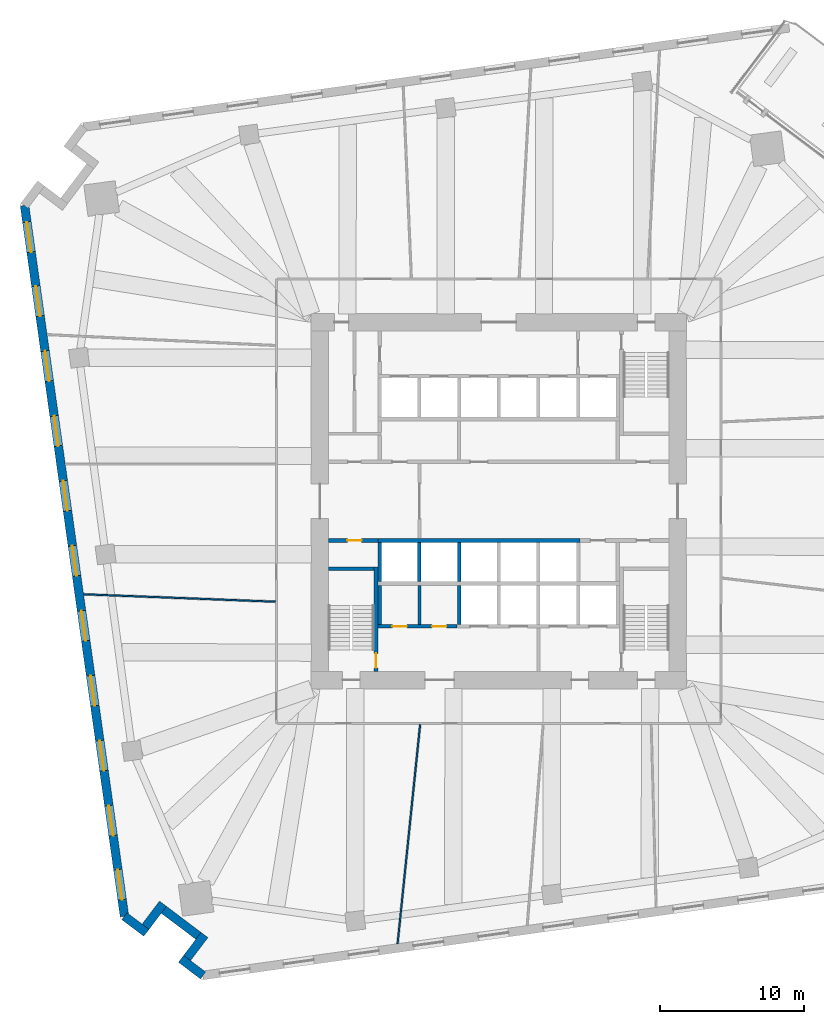
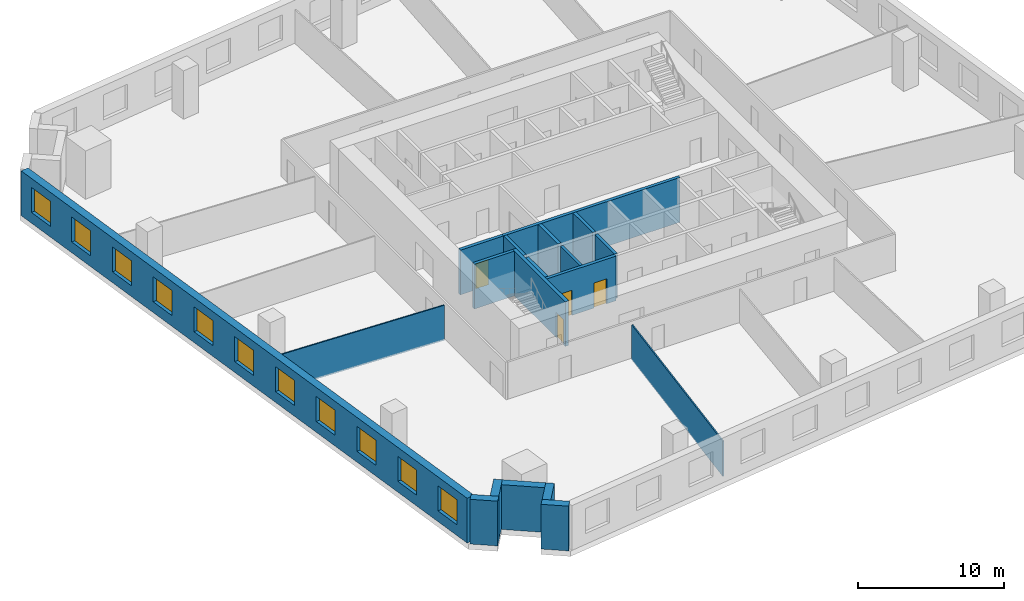
# One storey, part 5 of 12: 19 walls, 11 windows, 4 doors, 15 openings.
"""IFC4 building model written with IfcOpenShell, lengths in metres."""

from ifc_helpers import new_model, si_unit, direction, frame, frame_2d, origin, place, context, subcontext, project, spatial, rectangle, extrude, material, layer, layer_set, type_object, element, fill, save


model = new_model("IFC4")

# Units and contexts
model_context = context("Model", 3, precision=1e-05, world=origin(), true_north=direction((0.0, 1.0)))
body_context = subcontext(model_context, "Body", "Model", "MODEL_VIEW")
ifc_project = project(units=[si_unit("LENGTHUNIT", "METRE"), si_unit("AREAUNIT", "SQUARE_METRE"), si_unit("VOLUMEUNIT", "CUBIC_METRE"), si_unit("PLANEANGLEUNIT", "RADIAN"), si_unit("MASSUNIT", "GRAM", prefix="KILO")], contexts=[model_context])

# Site, building, storey
site_placement = place(None, origin())
site = spatial("IfcSite", under=ifc_project, at=site_placement, CompositionType="ELEMENT")
building_placement = place(site_placement, origin())
building = spatial("IfcBuilding", under=site, at=building_placement, Name="Dilmun Exchange Tower", CompositionType="ELEMENT")
storey_placement = place(building_placement, frame((0.0, 0.0, 51.300048828125)))
storey = spatial("IfcBuildingStorey", under=building, at=storey_placement, Name="L11", CompositionType="ELEMENT", Elevation=51.300048828125)

# Wall
ifc_material_1 = material(Name="Concrete C40/50", Category="concrete")
ifc_layer_1 = layer(ifc_material_1, 0.199951171875)
ifc_layer_set_1 = layer_set([ifc_layer_1], Name="Concrete C40/50")
wall_type_1 = type_object("IfcWallType", Name="Core partition wall 200", PredefinedType="PARTITIONING", material=ifc_layer_set_1)
wall_1_placement = place(storey_placement, frame((-5.5, -8.544921875, 0.0), z_axis=(0.0, 0.0, 1.0), x_axis=(0.0, 1.0, 0.0)))
element("IfcWall", 1, at=wall_1_placement, inside=storey, type_object=wall_type_1, Name="L11 core partition wall 04", PredefinedType="PARTITIONING", context=body_context, shape_type="SweptSolid", body=[
    extrude(rectangle(XDim=2.68994140625, YDim=0.199951171875, at=frame_2d((1.344970703125, 0.0))), origin(), (0.0, 0.0, 1.0), 3.75),
])

# Wall, openings, doors
ifc_layer_2 = layer(ifc_material_1, 0.25)
ifc_layer_set_2 = layer_set([ifc_layer_2], Name="Concrete C40/50")
wall_type_2 = type_object("IfcWallType", Name="Core partition wall 250", PredefinedType="PARTITIONING", material=ifc_layer_set_2)
wall_2_placement = place(storey_placement, frame((-8.3701171875, -8.675048828125, 0.0), z_axis=(0.0, 0.0, 1.0), x_axis=(1.0, 0.0, 0.0)))
wall_2 = element("IfcWall", 2, at=wall_2_placement, inside=storey, type_object=wall_type_2, Name="L11 core partition wall 02", PredefinedType="PARTITIONING", context=body_context, shape_type="SweptSolid", body=[
    extrude(rectangle(XDim=5.490234375, YDim=0.25, at=frame_2d((2.7451171875, 0.0))), origin(), (0.0, 0.0, 1.0), 3.75),
])
opening_1_placement = place(wall_2_placement, frame((0.9951171875, 0.0, 0.0)))
opening_1 = element("IfcOpeningElement", 3, at=opening_1_placement, cuts=wall_2, Name="Opening CD4", PredefinedType="OPENING", context=body_context, shape_type="SweptSolid", body=[
    extrude(rectangle(XDim=1.0, YDim=2.10009765625, at=frame_2d((0.5, 1.050048828125))), frame((0.0, 0.135009765625, 0.0), z_axis=(0.0, -1.0, 0.0), x_axis=(1.0, 0.0, 0.0)), (0.0, 0.0, 1.0), 0.27001953125),
])
opening_2_placement = place(wall_2_placement, frame((3.7451171875, 0.0, 0.0)))
opening_2 = element("IfcOpeningElement", 4, at=opening_2_placement, cuts=wall_2, Name="Opening CD4", PredefinedType="OPENING", context=body_context, shape_type="SweptSolid", body=[
    extrude(rectangle(XDim=1.0, YDim=2.10009765625, at=frame_2d((0.5, 1.050048828125))), frame((0.0, 0.135009765625, 0.0), z_axis=(0.0, -1.0, 0.0), x_axis=(1.0, 0.0, 0.0)), (0.0, 0.0, 1.0), 0.27001953125),
])
ifc_material_2 = material(Name="Fire-rated steel door set", Category="steel")
door_type = type_object("IfcDoorType", Name="Core room door 1000x2100", OperationType="SINGLE_SWING_LEFT", PredefinedType="DOOR", material=ifc_material_2)
door_1_placement = place(opening_1_placement, origin())
door_1 = element("IfcDoor", 5, at=door_1_placement, inside=storey, type_object=door_type, Name="L11 door Male WC", OperationType="SINGLE_SWING_RIGHT", OverallHeight=2.10009765625, OverallWidth=1.0, PredefinedType="DOOR", context=body_context, shape_type="SweptSolid", body=[
    extrude(rectangle(XDim=1.0, YDim=2.10009765625, at=frame_2d((0.5, 1.050048828125))), frame((0.0, 0.02490234375, 0.0), z_axis=(0.0, -1.0, 0.0), x_axis=(1.0, 0.0, 0.0)), (0.0, 0.0, 1.0), 0.050048828125),
])
fill(opening_1, door_1)
door_2_placement = place(opening_2_placement, origin())
door_2 = element("IfcDoor", 6, at=door_2_placement, inside=storey, type_object=door_type, Name="L11 door Female WC", OperationType="SINGLE_SWING_RIGHT", OverallHeight=2.10009765625, OverallWidth=1.0, PredefinedType="DOOR", context=body_context, shape_type="SweptSolid", body=[
    extrude(rectangle(XDim=1.0, YDim=2.10009765625, at=frame_2d((0.5, 1.050048828125))), frame((0.0, 0.02490234375, 0.0), z_axis=(0.0, -1.0, 0.0), x_axis=(1.0, 0.0, 0.0)), (0.0, 0.0, 1.0), 0.050048828125),
])
fill(opening_2, door_2)

# Wall
wall_3_placement = place(storey_placement, frame((-8.25, -8.544921875, 0.0), z_axis=(0.0, 0.0, 1.0), x_axis=(0.0, 1.0, 0.0)))
element("IfcWall", 7, at=wall_3_placement, inside=storey, type_object=wall_type_2, Name="L11 core partition wall 03", PredefinedType="PARTITIONING", context=body_context, shape_type="SweptSolid", body=[
    extrude(rectangle(XDim=2.68994140625, YDim=0.25, at=frame_2d((1.344970703125, 0.0))), origin(), (0.0, 0.0, 1.0), 3.75),
])

# Wall, opening, door
wall_4_placement = place(storey_placement, frame((-11.794921875, -2.72509765625, 0.0), z_axis=(0.0, 0.0, 1.0), x_axis=(1.0, 0.0, 0.0)))
wall_4 = element("IfcWall", 8, at=wall_4_placement, inside=storey, type_object=wall_type_2, Name="L11 core partition wall 06", PredefinedType="PARTITIONING", context=body_context, shape_type="SweptSolid", body=[
    extrude(rectangle(XDim=3.4150390625, YDim=0.25, at=frame_2d((1.70751953125, 0.0))), origin(), (0.0, 0.0, 1.0), 3.75),
])
opening_3_placement = place(wall_4_placement, frame((1.294921875, 0.0, 0.0)))
opening_3 = element("IfcOpeningElement", 9, at=opening_3_placement, cuts=wall_4, Name="Opening CD4", PredefinedType="OPENING", context=body_context, shape_type="SweptSolid", body=[
    extrude(rectangle(XDim=1.0, YDim=2.10009765625, at=frame_2d((0.5, 1.050048828125))), frame((0.0, 0.135009765625, 0.0), z_axis=(0.0, -1.0, 0.0), x_axis=(1.0, 0.0, 0.0)), (0.0, 0.0, 1.0), 0.27001953125),
])
door_3_placement = place(opening_3_placement, origin())
door_3 = element("IfcDoor", 10, at=door_3_placement, inside=storey, type_object=door_type, Name="L11 door Accessible WC", OperationType="SINGLE_SWING_RIGHT", OverallHeight=2.10009765625, OverallWidth=1.0, PredefinedType="DOOR", context=body_context, shape_type="SweptSolid", body=[
    extrude(rectangle(XDim=1.0, YDim=2.10009765625, at=frame_2d((0.5, 1.050048828125))), frame((0.0, 0.02490234375, 0.0), z_axis=(0.0, -1.0, 0.0), x_axis=(1.0, 0.0, 0.0)), (0.0, 0.0, 1.0), 0.050048828125),
])
fill(opening_3, door_3)

# Walls
ifc_layer_3 = layer(ifc_material_1, 0.25)
ifc_layer_set_3 = layer_set([ifc_layer_3], Name="Concrete C40/50")
wall_type_3 = type_object("IfcWallType", Name="Lift shaft wall 250", PredefinedType="SOLIDWALL", material=ifc_layer_set_3)
wall_5_placement = place(storey_placement, frame((-8.375, -2.72509765625, 0.0), z_axis=(0.0, 0.0, 1.0), x_axis=(1.0, 0.0, 0.0)))
element("IfcWall", 11, at=wall_5_placement, inside=storey, type_object=wall_type_3, Name="L11 lift shaft front wall S1", PredefinedType="SOLIDWALL", context=body_context, shape_type="SweptSolid", body=[
    extrude(rectangle(XDim=14.0, YDim=0.25, at=frame_2d((7.0, 0.0))), origin(), (0.0, 0.0, 1.0), 3.75),
])
for number, where, z_axis, x_axis, name in (
    (12, (-8.25, -5.550048828125, 0.0), (0.0, 0.0, 1.0), (0.0, 1.0, 0.0), "L11 lift shaft divider S10"),
    (13, (-5.5, -5.550048828125, 0.0), (0.0, 0.0, 1.0), (0.0, 1.0, 0.0), "L11 lift shaft divider S11"),
    (14, (-2.75, -5.550048828125, 0.0), (0.0, 0.0, 1.0), (0.0, 1.0, 0.0), "L11 lift shaft divider S12"),
    (15, (-2.75, -8.550048828125, 0.0), (0.0, 0.0, 1.0), (0.0, 1.0, 0.0), "L11 lift shaft divider S22"),
):
    element("IfcWall", number, at=place(storey_placement, frame(where, z_axis=z_axis, x_axis=x_axis)), inside=storey, type_object=wall_type_3, Name=name, PredefinedType="SOLIDWALL", context=body_context, shape_type="SweptSolid", body=[
        extrude(rectangle(XDim=2.699951171875, YDim=0.25, at=frame_2d((1.35009765625, 0.0))), origin(), (0.0, 0.0, 1.0), 3.75),
    ])
ifc_material_3 = material(Name="Partition 100")
ifc_layer_4 = layer(ifc_material_3, 0.10009765625)
ifc_layer_set_4 = layer_set([ifc_layer_4], Name="Partition 100")
wall_type_4 = type_object("IfcWallType", Name="Partition 100", PredefinedType="PARTITIONING", material=ifc_layer_set_4)
wall_6_placement = place(storey_placement, frame((-28.780517578125, -6.44970703125, 0.0), z_axis=(0.0, 0.0, 1.0), x_axis=(0.999250464025, -0.038710594758, 0.0)))
element("IfcWall", 16, at=wall_6_placement, inside=storey, type_object=wall_type_4, Name="Partition", PredefinedType="PARTITIONING", context=body_context, shape_type="SweptSolid", body=[
    extrude(rectangle(XDim=13.313720703125, YDim=0.10009765625, at=frame_2d((6.65673828125, 0.0))), origin(), (0.0, 0.0, 1.0), 2.949951171875),
])
wall_7_placement = place(storey_placement, frame((-7.014404296875, -30.672607421875, 0.0), z_axis=(0.0, 0.0, 1.0), x_axis=(0.102353755437, 0.994748062953, 0.0)))
element("IfcWall", 17, at=wall_7_placement, inside=storey, type_object=wall_type_4, Name="Partition", PredefinedType="PARTITIONING", context=body_context, shape_type="SweptSolid", body=[
    extrude(rectangle(XDim=15.27294921875, YDim=0.10009765625, at=frame_2d((7.636474609375, 0.0))), origin(), (0.0, 0.0, 1.0), 2.949951171875),
])

# Wall, openings, windows
ifc_material_4 = material(Name="Precast concrete C50/60", Category="concrete")
ifc_layer_5 = layer(ifc_material_4, 0.60009765625)
ifc_layer_set_5 = layer_set([ifc_layer_5], Name="Precast concrete C50/60")
wall_type_5 = type_object("IfcWallType", Name="Precast stone-clad wall 600", PredefinedType="STANDARD", material=ifc_layer_set_5)
wall_8_placement = place(storey_placement, frame((-32.873046875, 20.500244140625, 0.0), z_axis=(0.0, 0.0, 1.0), x_axis=(0.139173101431, -0.990268068675, 0.0)))
wall_8 = element("IfcWall", 18, at=wall_8_placement, inside=storey, type_object=wall_type_5, Name="Facade wall L11-09", PredefinedType="STANDARD", context=body_context, shape_type="SweptSolid", body=[
    extrude(rectangle(XDim=49.75146484375, YDim=0.60009765625, at=frame_2d((24.875732421875, 0.0))), origin(), (0.0, 0.0, 1.0), 3.75),
])
opening_4_placement = place(wall_8_placement, frame((1.16064453125, 0.0, 0.89990234375)))
opening_4 = element("IfcOpeningElement", 19, at=opening_4_placement, cuts=wall_8, Name="Opening W210-210", PredefinedType="OPENING", context=body_context, shape_type="SweptSolid", body=[
    extrude(rectangle(XDim=2.10009765625, YDim=2.10009765625, at=frame_2d((1.050048828125, 1.050048828125))), frame((0.0, 0.31005859375, 0.0), z_axis=(0.0, -1.0, 0.0), x_axis=(1.0, 0.0, 0.0)), (0.0, 0.0, 1.0), 0.6201171875),
])
opening_5_placement = place(wall_8_placement, frame((5.643798828125, 0.0, 0.89990234375)))
opening_5 = element("IfcOpeningElement", 20, at=opening_5_placement, cuts=wall_8, Name="Opening W210-210", PredefinedType="OPENING", context=body_context, shape_type="SweptSolid", body=[
    extrude(rectangle(XDim=2.10009765625, YDim=2.10009765625, at=frame_2d((1.050048828125, 1.050048828125))), frame((0.0, 0.31005859375, 0.0), z_axis=(0.0, -1.0, 0.0), x_axis=(1.0, 0.0, 0.0)), (0.0, 0.0, 1.0), 0.6201171875),
])
opening_6_placement = place(wall_8_placement, frame((10.189453125, 0.0, 0.89990234375)))
opening_6 = element("IfcOpeningElement", 21, at=opening_6_placement, cuts=wall_8, Name="Opening W210-210", PredefinedType="OPENING", context=body_context, shape_type="SweptSolid", body=[
    extrude(rectangle(XDim=2.10009765625, YDim=2.10009765625, at=frame_2d((1.050048828125, 1.050048828125))), frame((0.0, 0.31005859375, 0.0), z_axis=(0.0, -1.0, 0.0), x_axis=(1.0, 0.0, 0.0)), (0.0, 0.0, 1.0), 0.6201171875),
])
opening_7_placement = place(wall_8_placement, frame((14.73486328125, 0.0, 0.89990234375)))
opening_7 = element("IfcOpeningElement", 22, at=opening_7_placement, cuts=wall_8, Name="Opening W210-210", PredefinedType="OPENING", context=body_context, shape_type="SweptSolid", body=[
    extrude(rectangle(XDim=2.10009765625, YDim=2.10009765625, at=frame_2d((1.050048828125, 1.050048828125))), frame((0.0, 0.31005859375, 0.0), z_axis=(0.0, -1.0, 0.0), x_axis=(1.0, 0.0, 0.0)), (0.0, 0.0, 1.0), 0.6201171875),
])
opening_8_placement = place(wall_8_placement, frame((19.2802734375, 0.0, 0.89990234375)))
opening_8 = element("IfcOpeningElement", 23, at=opening_8_placement, cuts=wall_8, Name="Opening W210-210", PredefinedType="OPENING", context=body_context, shape_type="SweptSolid", body=[
    extrude(rectangle(XDim=2.10009765625, YDim=2.10009765625, at=frame_2d((1.050048828125, 1.050048828125))), frame((0.0, 0.31005859375, 0.0), z_axis=(0.0, -1.0, 0.0), x_axis=(1.0, 0.0, 0.0)), (0.0, 0.0, 1.0), 0.6201171875),
])
opening_9_placement = place(wall_8_placement, frame((23.82568359375, 0.0, 0.89990234375)))
opening_9 = element("IfcOpeningElement", 24, at=opening_9_placement, cuts=wall_8, Name="Opening W210-210", PredefinedType="OPENING", context=body_context, shape_type="SweptSolid", body=[
    extrude(rectangle(XDim=2.10009765625, YDim=2.10009765625, at=frame_2d((1.050048828125, 1.050048828125))), frame((0.0, 0.31005859375, 0.0), z_axis=(0.0, -1.0, 0.0), x_axis=(1.0, 0.0, 0.0)), (0.0, 0.0, 1.0), 0.6201171875),
])
opening_10_placement = place(wall_8_placement, frame((28.37109375, 0.0, 0.89990234375)))
opening_10 = element("IfcOpeningElement", 25, at=opening_10_placement, cuts=wall_8, Name="Opening W210-210", PredefinedType="OPENING", context=body_context, shape_type="SweptSolid", body=[
    extrude(rectangle(XDim=2.10009765625, YDim=2.10009765625, at=frame_2d((1.050048828125, 1.050048828125))), frame((0.0, 0.31005859375, 0.0), z_axis=(0.0, -1.0, 0.0), x_axis=(1.0, 0.0, 0.0)), (0.0, 0.0, 1.0), 0.6201171875),
])
opening_11_placement = place(wall_8_placement, frame((32.91650390625, 0.0, 0.89990234375)))
opening_11 = element("IfcOpeningElement", 26, at=opening_11_placement, cuts=wall_8, Name="Opening W210-210", PredefinedType="OPENING", context=body_context, shape_type="SweptSolid", body=[
    extrude(rectangle(XDim=2.10009765625, YDim=2.10009765625, at=frame_2d((1.050048828125, 1.050048828125))), frame((0.0, 0.31005859375, 0.0), z_axis=(0.0, -1.0, 0.0), x_axis=(1.0, 0.0, 0.0)), (0.0, 0.0, 1.0), 0.6201171875),
])
opening_12_placement = place(wall_8_placement, frame((37.462158203125, 0.0, 0.89990234375)))
opening_12 = element("IfcOpeningElement", 27, at=opening_12_placement, cuts=wall_8, Name="Opening W210-210", PredefinedType="OPENING", context=body_context, shape_type="SweptSolid", body=[
    extrude(rectangle(XDim=2.10009765625, YDim=2.10009765625, at=frame_2d((1.050048828125, 1.050048828125))), frame((0.0, 0.31005859375, 0.0), z_axis=(0.0, -1.0, 0.0), x_axis=(1.0, 0.0, 0.0)), (0.0, 0.0, 1.0), 0.6201171875),
])
opening_13_placement = place(wall_8_placement, frame((42.007568359375, 0.0, 0.89990234375)))
opening_13 = element("IfcOpeningElement", 28, at=opening_13_placement, cuts=wall_8, Name="Opening W210-210", PredefinedType="OPENING", context=body_context, shape_type="SweptSolid", body=[
    extrude(rectangle(XDim=2.10009765625, YDim=2.10009765625, at=frame_2d((1.050048828125, 1.050048828125))), frame((0.0, 0.31005859375, 0.0), z_axis=(0.0, -1.0, 0.0), x_axis=(1.0, 0.0, 0.0)), (0.0, 0.0, 1.0), 0.6201171875),
])
opening_14_placement = place(wall_8_placement, frame((46.490966796875, 0.0, 0.89990234375)))
opening_14 = element("IfcOpeningElement", 29, at=opening_14_placement, cuts=wall_8, Name="Opening W210-210", PredefinedType="OPENING", context=body_context, shape_type="SweptSolid", body=[
    extrude(rectangle(XDim=2.10009765625, YDim=2.10009765625, at=frame_2d((1.050048828125, 1.050048828125))), frame((0.0, 0.31005859375, 0.0), z_axis=(0.0, -1.0, 0.0), x_axis=(1.0, 0.0, 0.0)), (0.0, 0.0, 1.0), 0.6201171875),
])
ifc_material_5 = material(Name="Clear low-emissivity glass in aluminium frame", Category="aluminium")
window_type = type_object("IfcWindowType", Name="Punched window 2100 x 2100", PartitioningType="DOUBLE_PANEL_VERTICAL", PredefinedType="WINDOW", material=ifc_material_5)
window_1_placement = place(opening_4_placement, origin())
window_1 = element("IfcWindow", 30, at=window_1_placement, inside=storey, type_object=window_type, Name="Window 10.1", OverallHeight=2.10009765625, OverallWidth=2.10009765625, PartitioningType="SINGLE_PANEL", PredefinedType="WINDOW", context=body_context, shape_type="SweptSolid", body=[
    extrude(rectangle(XDim=2.10009765625, YDim=2.10009765625, at=frame_2d((1.050048828125, 1.050048828125))), frame((0.0, 0.030029296875, 0.0), z_axis=(0.0, -1.0, 0.0), x_axis=(1.0, 0.0, 0.0)), (0.0, 0.0, 1.0), 0.06005859375),
])
fill(opening_4, window_1)
window_2_placement = place(opening_5_placement, origin())
window_2 = element("IfcWindow", 31, at=window_2_placement, inside=storey, type_object=window_type, Name="Window 10.2", OverallHeight=2.10009765625, OverallWidth=2.10009765625, PartitioningType="SINGLE_PANEL", PredefinedType="WINDOW", context=body_context, shape_type="SweptSolid", body=[
    extrude(rectangle(XDim=2.10009765625, YDim=2.10009765625, at=frame_2d((1.050048828125, 1.050048828125))), frame((0.0, 0.030029296875, 0.0), z_axis=(0.0, -1.0, 0.0), x_axis=(1.0, 0.0, 0.0)), (0.0, 0.0, 1.0), 0.06005859375),
])
fill(opening_5, window_2)
window_3_placement = place(opening_6_placement, origin())
window_3 = element("IfcWindow", 32, at=window_3_placement, inside=storey, type_object=window_type, Name="Window 10.3", OverallHeight=2.10009765625, OverallWidth=2.10009765625, PartitioningType="SINGLE_PANEL", PredefinedType="WINDOW", context=body_context, shape_type="SweptSolid", body=[
    extrude(rectangle(XDim=2.10009765625, YDim=2.10009765625, at=frame_2d((1.050048828125, 1.050048828125))), frame((0.0, 0.030029296875, 0.0), z_axis=(0.0, -1.0, 0.0), x_axis=(1.0, 0.0, 0.0)), (0.0, 0.0, 1.0), 0.06005859375),
])
fill(opening_6, window_3)
window_4_placement = place(opening_7_placement, origin())
window_4 = element("IfcWindow", 33, at=window_4_placement, inside=storey, type_object=window_type, Name="Window 10.4", OverallHeight=2.10009765625, OverallWidth=2.10009765625, PartitioningType="SINGLE_PANEL", PredefinedType="WINDOW", context=body_context, shape_type="SweptSolid", body=[
    extrude(rectangle(XDim=2.10009765625, YDim=2.10009765625, at=frame_2d((1.050048828125, 1.050048828125))), frame((0.0, 0.030029296875, 0.0), z_axis=(0.0, -1.0, 0.0), x_axis=(1.0, 0.0, 0.0)), (0.0, 0.0, 1.0), 0.06005859375),
])
fill(opening_7, window_4)
window_5_placement = place(opening_8_placement, origin())
window_5 = element("IfcWindow", 34, at=window_5_placement, inside=storey, type_object=window_type, Name="Window 10.5", OverallHeight=2.10009765625, OverallWidth=2.10009765625, PartitioningType="SINGLE_PANEL", PredefinedType="WINDOW", context=body_context, shape_type="SweptSolid", body=[
    extrude(rectangle(XDim=2.10009765625, YDim=2.10009765625, at=frame_2d((1.050048828125, 1.050048828125))), frame((0.0, 0.030029296875, 0.0), z_axis=(0.0, -1.0, 0.0), x_axis=(1.0, 0.0, 0.0)), (0.0, 0.0, 1.0), 0.06005859375),
])
fill(opening_8, window_5)
window_6_placement = place(opening_9_placement, origin())
window_6 = element("IfcWindow", 35, at=window_6_placement, inside=storey, type_object=window_type, Name="Window 10.6", OverallHeight=2.10009765625, OverallWidth=2.10009765625, PartitioningType="SINGLE_PANEL", PredefinedType="WINDOW", context=body_context, shape_type="SweptSolid", body=[
    extrude(rectangle(XDim=2.10009765625, YDim=2.10009765625, at=frame_2d((1.050048828125, 1.050048828125))), frame((0.0, 0.030029296875, 0.0), z_axis=(0.0, -1.0, 0.0), x_axis=(1.0, 0.0, 0.0)), (0.0, 0.0, 1.0), 0.06005859375),
])
fill(opening_9, window_6)
window_7_placement = place(opening_10_placement, origin())
window_7 = element("IfcWindow", 36, at=window_7_placement, inside=storey, type_object=window_type, Name="Window 10.7", OverallHeight=2.10009765625, OverallWidth=2.10009765625, PartitioningType="SINGLE_PANEL", PredefinedType="WINDOW", context=body_context, shape_type="SweptSolid", body=[
    extrude(rectangle(XDim=2.10009765625, YDim=2.10009765625, at=frame_2d((1.050048828125, 1.050048828125))), frame((0.0, 0.030029296875, 0.0), z_axis=(0.0, -1.0, 0.0), x_axis=(1.0, 0.0, 0.0)), (0.0, 0.0, 1.0), 0.06005859375),
])
fill(opening_10, window_7)
window_8_placement = place(opening_11_placement, origin())
window_8 = element("IfcWindow", 37, at=window_8_placement, inside=storey, type_object=window_type, Name="Window 10.8", OverallHeight=2.10009765625, OverallWidth=2.10009765625, PartitioningType="SINGLE_PANEL", PredefinedType="WINDOW", context=body_context, shape_type="SweptSolid", body=[
    extrude(rectangle(XDim=2.10009765625, YDim=2.10009765625, at=frame_2d((1.050048828125, 1.050048828125))), frame((0.0, 0.030029296875, 0.0), z_axis=(0.0, -1.0, 0.0), x_axis=(1.0, 0.0, 0.0)), (0.0, 0.0, 1.0), 0.06005859375),
])
fill(opening_11, window_8)
window_9_placement = place(opening_12_placement, origin())
window_9 = element("IfcWindow", 38, at=window_9_placement, inside=storey, type_object=window_type, Name="Window 10.9", OverallHeight=2.10009765625, OverallWidth=2.10009765625, PartitioningType="SINGLE_PANEL", PredefinedType="WINDOW", context=body_context, shape_type="SweptSolid", body=[
    extrude(rectangle(XDim=2.10009765625, YDim=2.10009765625, at=frame_2d((1.050048828125, 1.050048828125))), frame((0.0, 0.030029296875, 0.0), z_axis=(0.0, -1.0, 0.0), x_axis=(1.0, 0.0, 0.0)), (0.0, 0.0, 1.0), 0.06005859375),
])
fill(opening_12, window_9)
window_10_placement = place(opening_13_placement, origin())
window_10 = element("IfcWindow", 39, at=window_10_placement, inside=storey, type_object=window_type, Name="Window 10.10", OverallHeight=2.10009765625, OverallWidth=2.10009765625, PartitioningType="SINGLE_PANEL", PredefinedType="WINDOW", context=body_context, shape_type="SweptSolid", body=[
    extrude(rectangle(XDim=2.10009765625, YDim=2.10009765625, at=frame_2d((1.050048828125, 1.050048828125))), frame((0.0, 0.030029296875, 0.0), z_axis=(0.0, -1.0, 0.0), x_axis=(1.0, 0.0, 0.0)), (0.0, 0.0, 1.0), 0.06005859375),
])
fill(opening_13, window_10)
window_11_placement = place(opening_14_placement, origin())
window_11 = element("IfcWindow", 40, at=window_11_placement, inside=storey, type_object=window_type, Name="Window 10.11", OverallHeight=2.10009765625, OverallWidth=2.10009765625, PartitioningType="SINGLE_PANEL", PredefinedType="WINDOW", context=body_context, shape_type="SweptSolid", body=[
    extrude(rectangle(XDim=2.10009765625, YDim=2.10009765625, at=frame_2d((1.050048828125, 1.050048828125))), frame((0.0, 0.030029296875, 0.0), z_axis=(0.0, -1.0, 0.0), x_axis=(1.0, 0.0, 0.0)), (0.0, 0.0, 1.0), 0.06005859375),
])
fill(opening_14, window_11)

# Walls
wall_9_placement = place(storey_placement, frame((-25.948974609375, -28.76708984375, 0.0), z_axis=(0.0, 0.0, 1.0), x_axis=(0.798649012397, -0.601797104511, 0.0)))
element("IfcWall", 41, at=wall_9_placement, inside=storey, type_object=wall_type_5, Name="Facade wall L11-10", PredefinedType="STANDARD", context=body_context, shape_type="SweptSolid", body=[
    extrude(rectangle(XDim=1.9111328125, YDim=0.60009765625, at=frame_2d((0.95556640625, 0.0))), origin(), (0.0, 0.0, 1.0), 3.75),
])
wall_10_placement = place(storey_placement, frame((-24.481689453125, -29.497314453125, 0.0), z_axis=(0.0, 0.0, 1.0), x_axis=(0.601853623896, 0.798606420838, 0.0)))
element("IfcWall", 42, at=wall_10_placement, inside=storey, type_object=wall_type_5, Name="Facade wall L11-11", PredefinedType="STANDARD", context=body_context, shape_type="SweptSolid", body=[
    extrude(rectangle(XDim=2.000244140625, YDim=0.60009765625, at=frame_2d((1.0, 0.0))), origin(), (0.0, 0.0, 1.0), 3.75),
])
wall_11_placement = place(storey_placement, frame((-23.218994140625, -28.320068359375, 0.0), z_axis=(0.0, 0.0, 1.0), x_axis=(0.798650351182, -0.601795327796, 0.0)))
element("IfcWall", 43, at=wall_11_placement, inside=storey, type_object=wall_type_5, Name="Facade wall L11-12", PredefinedType="STANDARD", context=body_context, shape_type="SweptSolid", body=[
    extrude(rectangle(XDim=3.0, YDim=0.60009765625, at=frame_2d((1.5, 0.0))), origin(), (0.0, 0.0, 1.0), 3.75),
])
wall_12_placement = place(storey_placement, frame((-20.40283203125, -30.06640625, 0.0), z_axis=(0.0, 0.0, 1.0), x_axis=(-0.601775771976, -0.798665086418, 0.0)))
element("IfcWall", 44, at=wall_12_placement, inside=storey, type_object=wall_type_5, Name="Facade wall L11-13", PredefinedType="STANDARD", context=body_context, shape_type="SweptSolid", body=[
    extrude(rectangle(XDim=2.0, YDim=0.60009765625, at=frame_2d((1.0, 0.0))), origin(), (0.0, 0.0, 1.0), 3.75),
])
wall_13_placement = place(storey_placement, frame((-22.026611328125, -31.722900390625, 0.0), z_axis=(0.0, 0.0, 1.0), x_axis=(0.798649012397, -0.601797104511, 0.0)))
element("IfcWall", 45, at=wall_13_placement, inside=storey, type_object=wall_type_5, Name="Facade wall L11-14", PredefinedType="STANDARD", context=body_context, shape_type="SweptSolid", body=[
    extrude(rectangle(XDim=1.9111328125, YDim=0.60009765625, at=frame_2d((0.95556640625, 0.0))), origin(), (0.0, 0.0, 1.0), 3.75),
])
ifc_layer_6 = layer(ifc_material_1, 0.25)
ifc_layer_set_6 = layer_set([ifc_layer_6], Name="Concrete C40/50")
wall_type_6 = type_object("IfcWallType", Name="Stair end wall 250", PredefinedType="SOLIDWALL", material=ifc_layer_set_6)
wall_14_placement = place(storey_placement, frame((-8.64990234375, -4.675048828125, 0.0), z_axis=(0.0, 0.0, 1.0), x_axis=(-1.0, 0.0, 0.0)))
element("IfcWall", 46, at=wall_14_placement, inside=storey, type_object=wall_type_6, Name="L11 ST2 far wall", PredefinedType="SOLIDWALL", context=body_context, shape_type="SweptSolid", body=[
    extrude(rectangle(XDim=3.150146484375, YDim=0.25, at=frame_2d((1.5751953125, 0.0))), origin(), (0.0, 0.0, 1.0), 3.75),
])

# Wall, opening, door
ifc_layer_7 = layer(ifc_material_1, 0.27490234375)
ifc_layer_set_7 = layer_set([ifc_layer_7], Name="Concrete C40/50")
wall_type_7 = type_object("IfcWallType", Name="Stair wall 275", PredefinedType="SOLIDWALL", material=ifc_layer_set_7)
wall_15_placement = place(storey_placement, frame((-8.512451171875, -4.550048828125, 0.0), z_axis=(0.0, 0.0, 1.0), x_axis=(0.0, -1.0, 0.0)))
wall_15 = element("IfcWall", 47, at=wall_15_placement, inside=storey, type_object=wall_type_7, Name="L11 ST2 wall to lift block", PredefinedType="SOLIDWALL", context=body_context, shape_type="SweptSolid", body=[
    extrude(rectangle(XDim=7.25, YDim=0.27490234375, at=frame_2d((3.625, 0.0))), origin(), (0.0, 0.0, 1.0), 3.75),
])
opening_15_placement = place(wall_15_placement, frame((6.0, 0.0, 0.0)))
opening_15 = element("IfcOpeningElement", 48, at=opening_15_placement, cuts=wall_15, Name="Opening CD4", PredefinedType="OPENING", context=body_context, shape_type="SweptSolid", body=[
    extrude(rectangle(XDim=1.0, YDim=2.10009765625, at=frame_2d((0.5, 1.050048828125))), frame((0.0, 0.1474609375, 0.0), z_axis=(0.0, -1.0, 0.0), x_axis=(1.0, 0.0, 0.0)), (0.0, 0.0, 1.0), 0.294921875),
])
door_4_placement = place(opening_15_placement, origin())
door_4 = element("IfcDoor", 49, at=door_4_placement, inside=storey, type_object=door_type, Name="L11 door ST2 from lobby", OperationType="SINGLE_SWING_LEFT", OverallHeight=2.10009765625, OverallWidth=1.0, PredefinedType="DOOR", context=body_context, shape_type="SweptSolid", body=[
    extrude(rectangle(XDim=1.0, YDim=2.10009765625, at=frame_2d((0.5, 1.050048828125))), frame((0.0, 0.02490234375, 0.0), z_axis=(0.0, -1.0, 0.0), x_axis=(1.0, 0.0, 0.0)), (0.0, 0.0, 1.0), 0.050048828125),
])
fill(opening_15, door_4)

save(model, "model.ifc")
